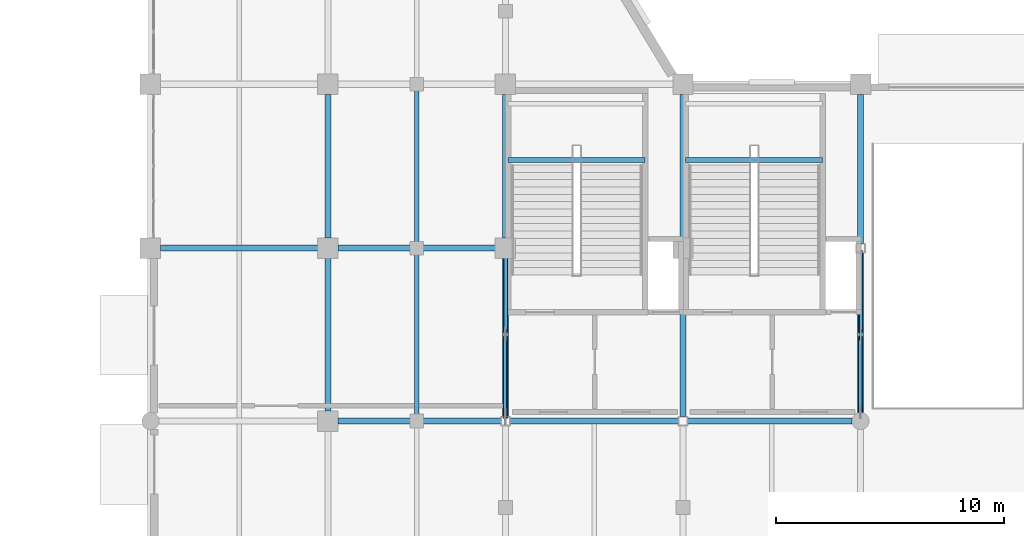
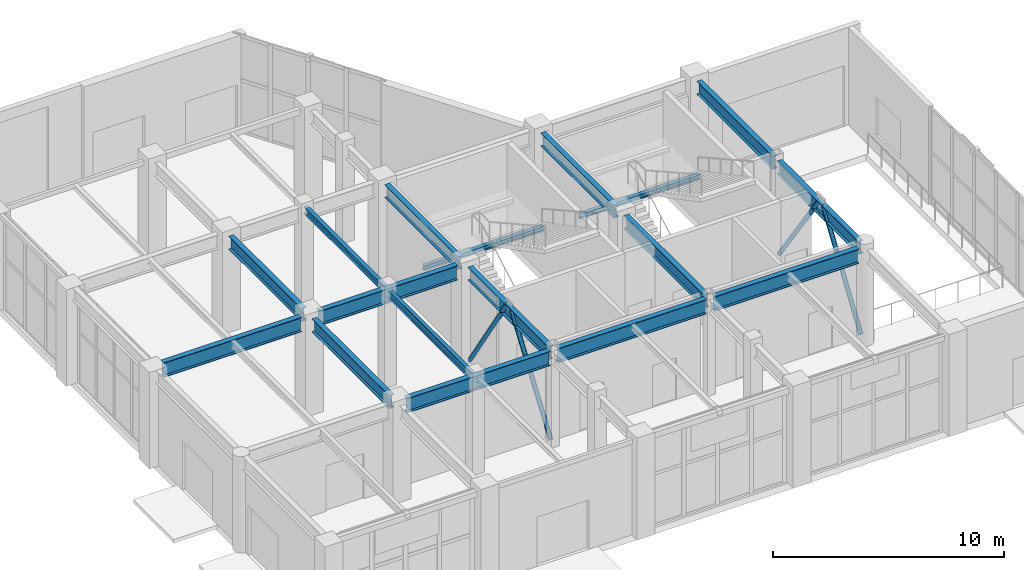
# One storey, part 96 of 139: 17 beams, 4 members.
"""IFC4 building model written with IfcOpenShell, lengths in metres."""

from ifc_helpers import new_model, si_unit, direction, frame, origin, origin_2d, place, context, subcontext, project, spatial, hollow_circle, i_section, extrude, material, material_profile, profile_set, type_object, element, save


model = new_model("IFC4")

# Units and contexts
model_context = context("Model", 3, precision=1e-05, world=origin(), true_north=direction((0.0, 1.0)))
body_context = subcontext(model_context, "Body", "Model", "MODEL_VIEW")
ifc_project = project(units=[si_unit("LENGTHUNIT", "METRE"), si_unit("AREAUNIT", "SQUARE_METRE"), si_unit("VOLUMEUNIT", "CUBIC_METRE"), si_unit("PLANEANGLEUNIT", "RADIAN"), si_unit("MASSUNIT", "GRAM", prefix="KILO")], contexts=[model_context])

# Site, building, storey
site_placement = place(None, origin())
site = spatial("IfcSite", under=ifc_project, at=site_placement, CompositionType="ELEMENT")
building_placement = place(site_placement, origin())
building = spatial("IfcBuilding", under=site, at=building_placement, Name="Xicomal Pleat Aquarium", CompositionType="ELEMENT")
storey_placement = place(building_placement, origin())
storey = spatial("IfcBuildingStorey", under=building, at=storey_placement, Name="L01", CompositionType="ELEMENT", Elevation=0.0)

# Beams
ifc_material_1 = material(Name="Structural steel A992 Gr 50", Category="steel")
ifc_material_profile_1 = material_profile(ifc_material_1, i_section(OverallWidth=0.201904296875, OverallDepth=0.2470703125, WebThickness=0.00732421875, FlangeThickness=0.010986328125, at=origin_2d()), Name="IR 250x49")
ifc_profile_set_1 = profile_set([ifc_material_profile_1], Name="Structural steel A992 Gr 50")
beam_type_1 = type_object("IfcBeamType", Name="BM-STL-IR250", PredefinedType="JOIST", material=ifc_profile_set_1)
for number, where, z_axis, x_axis, name in (
    (1, (141.719970703125, 95.070068359375, 2.37890625), (1.0, 0.0, 0.0), (0.0, 1.0, 0.0), "ST-05-L01 half-landing bearer beam 2"),
    (2, (149.52001953125, 95.070068359375, 2.37890625), (1.0, 0.0, 0.0), (0.0, 1.0, 0.0), "ST-06-L01 half-landing bearer beam 2"),
):
    element("IfcBeam", number, at=place(storey_placement, frame(where, z_axis=z_axis, x_axis=x_axis)), inside=storey, type_object=beam_type_1, Name=name, PredefinedType="JOIST", context=body_context, shape_type="SweptSolid", body=[
        extrude(i_section(OverallWidth=0.201904296875, OverallDepth=0.2470703125, WebThickness=0.00732421875, FlangeThickness=0.010986328125, at=origin_2d()), origin(), (0.0, 0.0, 1.0), 6.02001953125),
    ])
ifc_material_2 = material(Name="Structural steel A992 Gr 50", Category="steel")
ifc_material_profile_2 = material_profile(ifc_material_2, i_section(OverallWidth=0.205078125, OverallDepth=0.35400390625, WebThickness=0.009521484375, FlangeThickness=0.016845703125, at=origin_2d()), Name="IR 360x79")
ifc_profile_set_2 = profile_set([ifc_material_profile_2], Name="Structural steel A992 Gr 50")
beam_type_2 = type_object("IfcBeamType", Name="BM-STL-IR360", PredefinedType="JOIST", material=ifc_profile_set_2)
beam_1_placement = place(storey_placement, frame((137.699951171875, 91.3369140625, 4.923095703125), z_axis=(0.0, 1.0, 0.0), x_axis=(-1.0, 0.0, 0.0)))
element("IfcBeam", 3, at=beam_1_placement, inside=storey, type_object=beam_type_2, Name="L01 framing beam FBJ-L01-17-N-1", PredefinedType="JOIST", context=body_context, shape_type="SweptSolid", body=[
    extrude(i_section(OverallWidth=0.205078125, OverallDepth=0.35400390625, WebThickness=0.009521484375, FlangeThickness=0.016845703125, at=origin_2d()), origin(), (0.0, 0.0, 1.0), 6.926025390625),
])
ifc_material_3 = material(Name="Structural steel A992 Gr 50", Category="steel")
ifc_material_profile_3 = material_profile(ifc_material_3, i_section(OverallWidth=0.180908203125, OverallDepth=0.4169921875, WebThickness=0.010986328125, FlangeThickness=0.018310546875, at=origin_2d()), Name="IR 410x85")
ifc_profile_set_3 = profile_set([ifc_material_profile_3], Name="Structural steel A992 Gr 50")
beam_type_3 = type_object("IfcBeamType", Name="BM-STL-IR410", PredefinedType="JOIST", material=ifc_profile_set_3)
beam_2_placement = place(storey_placement, frame((137.699951171875, 83.737060546875, 4.8916015625), z_axis=(0.0, 1.0, 0.0), x_axis=(-1.0, 0.0, 0.0)))
element("IfcBeam", 4, at=beam_2_placement, inside=storey, type_object=beam_type_3, Name="L01 framing beam FBJ-L01-17-M-1", PredefinedType="JOIST", context=body_context, shape_type="SweptSolid", body=[
    extrude(i_section(OverallWidth=0.180908203125, OverallDepth=0.4169921875, WebThickness=0.010986328125, FlangeThickness=0.018310546875, at=origin_2d()), origin(), (0.0, 0.0, 1.0), 7.325927734375),
])
ifc_material_4 = material(Name="Structural steel A992 Gr 50", Category="steel")
ifc_material_profile_4 = material_profile(ifc_material_4, i_section(OverallWidth=0.256103515625, OverallDepth=0.693115234375, WebThickness=0.014404296875, FlangeThickness=0.023681640625, at=origin_2d()), Name="IR 690x170")
ifc_profile_set_4 = profile_set([ifc_material_profile_4], Name="Structural steel A992 Gr 50")
beam_type_4 = type_object("IfcBeamType", Name="BM-STL-IR690", PredefinedType="BEAM", material=ifc_profile_set_4)
beam_3_placement = place(storey_placement, frame((133.800048828125, 84.044921875, 4.75341796875), z_axis=(0.0, 1.0, 0.0), x_axis=(-1.0, 0.0, 0.0)))
element("IfcBeam", 5, at=beam_3_placement, inside=storey, type_object=beam_type_4, Name="L01 framing beam FGY-L01-17-M-N", PredefinedType="BEAM", context=body_context, shape_type="SweptSolid", body=[
    extrude(i_section(OverallWidth=0.256103515625, OverallDepth=0.693115234375, WebThickness=0.014404296875, FlangeThickness=0.023681640625, at=origin_2d()), origin(), (0.0, 0.0, 1.0), 6.7099609375),
])
beam_4_placement = place(storey_placement, frame((133.800048828125, 91.64501953125, 4.75341796875), z_axis=(0.0, 1.0, 0.0), x_axis=(-1.0, 0.0, 0.0)))
element("IfcBeam", 6, at=beam_4_placement, inside=storey, type_object=beam_type_4, Name="L01 framing beam FGY-L01-17-N-P", PredefinedType="BEAM", context=body_context, shape_type="SweptSolid", body=[
    extrude(i_section(OverallWidth=0.256103515625, OverallDepth=0.693115234375, WebThickness=0.014404296875, FlangeThickness=0.023681640625, at=origin_2d()), origin(), (0.0, 0.0, 1.0), 6.31005859375),
])
beam_5_placement = place(storey_placement, frame((141.60009765625, 83.794921875, 4.75341796875), z_axis=(0.0, 1.0, 0.0), x_axis=(-1.0, 0.0, 0.0)))
element("IfcBeam", 7, at=beam_5_placement, inside=storey, type_object=beam_type_4, Name="L01 framing beam FGY-L01-18-M-N", PredefinedType="BEAM", context=body_context, shape_type="SweptSolid", body=[
    extrude(i_section(OverallWidth=0.256103515625, OverallDepth=0.693115234375, WebThickness=0.014404296875, FlangeThickness=0.023681640625, at=origin_2d()), origin(), (0.0, 0.0, 1.0), 6.9599609375),
])
beam_6_placement = place(storey_placement, frame((141.60009765625, 91.64501953125, 4.75341796875), z_axis=(0.0, 1.0, 0.0), x_axis=(-1.0, 0.0, 0.0)))
element("IfcBeam", 8, at=beam_6_placement, inside=storey, type_object=beam_type_4, Name="L01 framing beam FGY-L01-18-N-P", PredefinedType="BEAM", context=body_context, shape_type="SweptSolid", body=[
    extrude(i_section(OverallWidth=0.256103515625, OverallDepth=0.693115234375, WebThickness=0.014404296875, FlangeThickness=0.023681640625, at=origin_2d()), origin(), (0.0, 0.0, 1.0), 6.31005859375),
])
beam_7_placement = place(storey_placement, frame((149.39990234375, 83.794921875, 4.75341796875), z_axis=(0.0, 1.0, 0.0), x_axis=(-1.0, 0.0, 0.0)))
element("IfcBeam", 9, at=beam_7_placement, inside=storey, type_object=beam_type_4, Name="L01 framing beam FGY-L01-19-M-N", PredefinedType="BEAM", context=body_context, shape_type="SweptSolid", body=[
    extrude(i_section(OverallWidth=0.256103515625, OverallDepth=0.693115234375, WebThickness=0.014404296875, FlangeThickness=0.023681640625, at=origin_2d()), origin(), (0.0, 0.0, 1.0), 6.9599609375),
])
beam_8_placement = place(storey_placement, frame((149.39990234375, 91.64501953125, 4.75341796875), z_axis=(0.0, 1.0, 0.0), x_axis=(-1.0, 0.0, 0.0)))
element("IfcBeam", 10, at=beam_8_placement, inside=storey, type_object=beam_type_4, Name="L01 framing beam FGY-L01-19-N-P", PredefinedType="BEAM", context=body_context, shape_type="SweptSolid", body=[
    extrude(i_section(OverallWidth=0.256103515625, OverallDepth=0.693115234375, WebThickness=0.014404296875, FlangeThickness=0.023681640625, at=origin_2d()), origin(), (0.0, 0.0, 1.0), 6.31005859375),
])
beam_9_placement = place(storey_placement, frame((157.199951171875, 83.969970703125, 4.75341796875), z_axis=(0.0, 1.0, 0.0), x_axis=(-1.0, 0.0, 0.0)))
element("IfcBeam", 11, at=beam_9_placement, inside=storey, type_object=beam_type_4, Name="L01 framing beam FGY-L01-20-M-N", PredefinedType="BEAM", context=body_context, shape_type="SweptSolid", body=[
    extrude(i_section(OverallWidth=0.256103515625, OverallDepth=0.693115234375, WebThickness=0.014404296875, FlangeThickness=0.023681640625, at=origin_2d()), origin(), (0.0, 0.0, 1.0), 7.034912109375),
])
beam_10_placement = place(storey_placement, frame((157.199951171875, 91.39501953125, 4.75341796875), z_axis=(0.0, 1.0, 0.0), x_axis=(-1.0, 0.0, 0.0)))
element("IfcBeam", 12, at=beam_10_placement, inside=storey, type_object=beam_type_4, Name="L01 framing beam FGY-L01-20-N-P", PredefinedType="BEAM", context=body_context, shape_type="SweptSolid", body=[
    extrude(i_section(OverallWidth=0.256103515625, OverallDepth=0.693115234375, WebThickness=0.014404296875, FlangeThickness=0.023681640625, at=origin_2d()), origin(), (0.0, 0.0, 1.0), 6.56005859375),
])
ifc_material_5 = material(Name="Structural steel A992 Gr 50", Category="steel")
ifc_material_profile_5 = material_profile(ifc_material_5, i_section(OverallWidth=0.26806640625, OverallDepth=0.77001953125, WebThickness=0.015625, FlangeThickness=0.025390625, at=origin_2d()), Name="IR 760x196")
ifc_profile_set_5 = profile_set([ifc_material_profile_5], Name="Structural steel A992 Gr 50")
beam_type_5 = type_object("IfcBeamType", Name="BM-STL-IR760", PredefinedType="BEAM", material=ifc_profile_set_5)
beam_11_placement = place(storey_placement, frame((134.2451171875, 83.60009765625, 4.715087890625), z_axis=(1.0, 0.0, 0.0), x_axis=(0.0, 1.0, 0.0)))
element("IfcBeam", 13, at=beam_11_placement, inside=storey, type_object=beam_type_5, Name="L01 framing beam FGX-L01-17-18-M", PredefinedType="BEAM", context=body_context, shape_type="SweptSolid", body=[
    extrude(i_section(OverallWidth=0.26806640625, OverallDepth=0.77001953125, WebThickness=0.015625, FlangeThickness=0.025390625, at=origin_2d()), origin(), (0.0, 0.0, 1.0), 7.159912109375),
])
beam_12_placement = place(storey_placement, frame((141.794921875, 83.60009765625, 4.715087890625), z_axis=(1.0, 0.0, 0.0), x_axis=(0.0, 1.0, 0.0)))
element("IfcBeam", 14, at=beam_12_placement, inside=storey, type_object=beam_type_5, Name="L01 framing beam FGX-L01-18-19-M", PredefinedType="BEAM", context=body_context, shape_type="SweptSolid", body=[
    extrude(i_section(OverallWidth=0.26806640625, OverallDepth=0.77001953125, WebThickness=0.015625, FlangeThickness=0.025390625, at=origin_2d()), origin(), (0.0, 0.0, 1.0), 7.41015625),
])
beam_13_placement = place(storey_placement, frame((149.594970703125, 83.60009765625, 4.715087890625), z_axis=(1.0, 0.0, 0.0), x_axis=(0.0, 1.0, 0.0)))
element("IfcBeam", 15, at=beam_13_placement, inside=storey, type_object=beam_type_5, Name="L01 framing beam FGX-L01-19-20-M", PredefinedType="BEAM", context=body_context, shape_type="SweptSolid", body=[
    extrude(i_section(OverallWidth=0.26806640625, OverallDepth=0.77001953125, WebThickness=0.015625, FlangeThickness=0.025390625, at=origin_2d()), origin(), (0.0, 0.0, 1.0), 7.235107421875),
])
for number, where, z_axis, x_axis, name in (
    (16, (126.445068359375, 91.199951171875, 4.715087890625), (1.0, 0.0, 0.0), (0.0, 1.0, 0.0), "L01 framing beam FGX-L01-16-17-N"),
    (17, (134.2451171875, 91.199951171875, 4.715087890625), (1.0, 0.0, 0.0), (0.0, 1.0, 0.0), "L01 framing beam FGX-L01-17-18-N"),
):
    element("IfcBeam", number, at=place(storey_placement, frame(where, z_axis=z_axis, x_axis=x_axis)), inside=storey, type_object=beam_type_5, Name=name, PredefinedType="BEAM", context=body_context, shape_type="SweptSolid", body=[
        extrude(i_section(OverallWidth=0.26806640625, OverallDepth=0.77001953125, WebThickness=0.015625, FlangeThickness=0.025390625, at=origin_2d()), origin(), (0.0, 0.0, 1.0), 6.909912109375),
    ])

# Members
ifc_material_6 = material(Name="Structural steel A500 Gr C", Category="steel")
ifc_material_profile_6 = material_profile(ifc_material_6, hollow_circle(Radius=0.109619140625, WallThickness=0.011962890625, at=origin_2d()), Name="OC 219x12")
ifc_profile_set_6 = profile_set([ifc_material_profile_6], Name="Structural steel A500 Gr C")
member_type = type_object("IfcMemberType", Name="MEM-BR-OC219", PredefinedType="BRACE", material=ifc_profile_set_6)
member_1_placement = place(storey_placement, frame((157.199951171875, 83.955078125, 0.14990234375), z_axis=(0.0, 0.557997098823, 0.829842899413), x_axis=(-1.0, 0.0, 0.0)))
element("IfcMember", 18, at=member_1_placement, inside=storey, type_object=member_type, Name="L01 chevron brace 22A", PredefinedType="BRACE", context=body_context, shape_type="SweptSolid", body=[
    extrude(hollow_circle(Radius=0.109619140625, WallThickness=0.011962890625, at=origin_2d()), origin(), (0.0, 0.0, 1.0), 5.905029296875),
])
for number, where, z_axis, x_axis, name in (
    (19, (157.199951171875, 91.02001953125, 0.14990234375), (0.0, -0.577910160839, 0.816100389657), (1.0, 0.0, 0.0), "L01 chevron brace 22B"),
    (20, (141.60009765625, 83.780029296875, 0.14990234375), (0.0, 0.577910160839, 0.816100389657), (-1.0, 0.0, 0.0), "L01 chevron brace 27A"),
):
    element("IfcMember", number, at=place(storey_placement, frame(where, z_axis=z_axis, x_axis=x_axis)), inside=storey, type_object=member_type, Name=name, PredefinedType="BRACE", context=body_context, shape_type="SweptSolid", body=[
        extrude(hollow_circle(Radius=0.109619140625, WallThickness=0.011962890625, at=origin_2d()), origin(), (0.0, 0.0, 1.0), 6.00439453125),
    ])
member_2_placement = place(storey_placement, frame((141.60009765625, 90.77001953125, 0.14990234375), z_axis=(0.0, -0.549162931095, 0.835715307453), x_axis=(1.0, 0.0, 0.0)))
element("IfcMember", 21, at=member_2_placement, inside=storey, type_object=member_type, Name="L01 chevron brace 27B", PredefinedType="BRACE", context=body_context, shape_type="SweptSolid", body=[
    extrude(hollow_circle(Radius=0.109619140625, WallThickness=0.011962890625, at=origin_2d()), origin(), (0.0, 0.0, 1.0), 5.863525390625),
])

save(model, "model.ifc")
